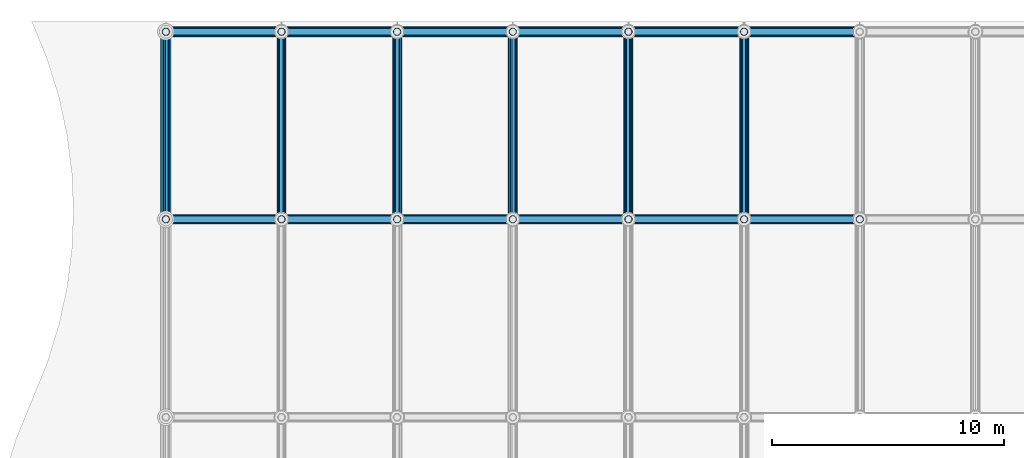
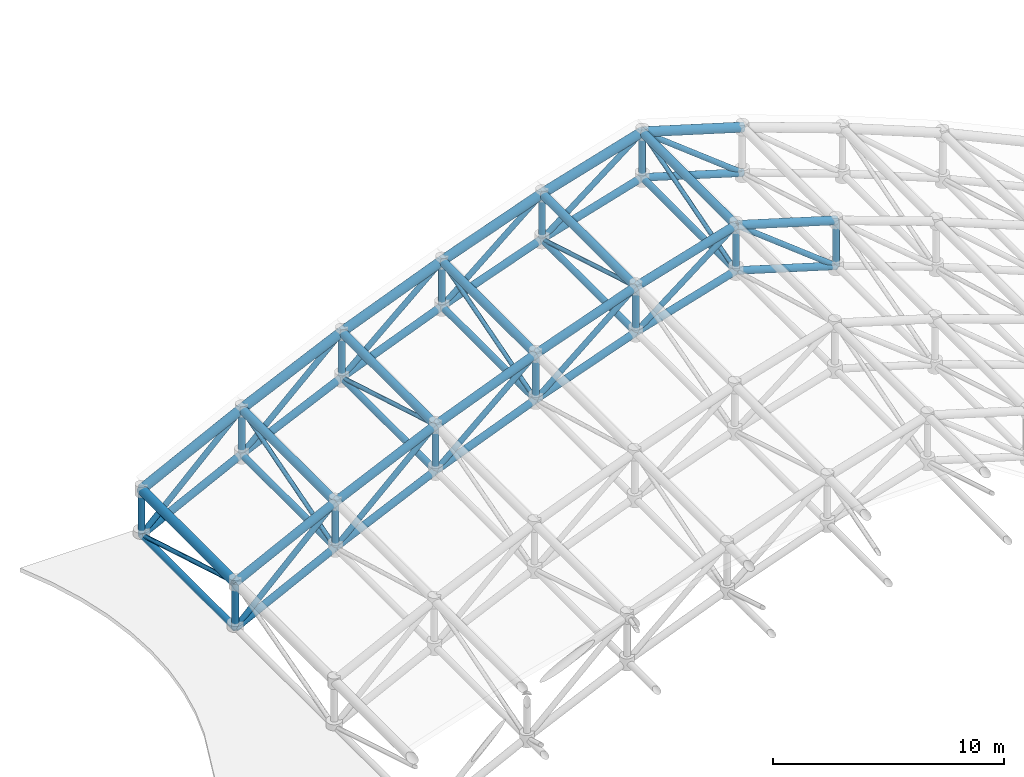
# One storey, part 9 of 11: 67 members.
"""IFC4 building model written with IfcOpenShell, lengths in metres."""

import ifcopenshell
import ifcopenshell.guid

model = None  # the IFC model being written
_history = None  # IfcOwnerHistory: only IFC2X3 demands one
_inside = {}  # id of a spatial element -> (the spatial element, [elements in it])
_under = {}  # id of a project, library or spatial element -> (it, [spatial elements below it])
_declared = {}  # id of a project -> (the project, [libraries it declares])
_typed = {}  # id of a type object -> (the type object, [elements of that type])
_made_of = {}  # id of a material, layer set ... -> (it, [elements and type objects made of it])


def new_model(schema):
    """Start an empty IFC model of exactly this schema.

    Asked for "IFC4X3", IfcOpenShell would pick the latest addendum, in which some entities
    have other attributes; the version numbers below select the first issue.
    IFC2X3 requires an IfcOwnerHistory on every rooted entity: one is made here for all.
    """
    global model, _history
    if schema == "IFC4X3":
        model = ifcopenshell.file(schema_version=(4, 3, 0, 0))
    else:
        model = ifcopenshell.file(schema=schema)
    _inside.clear()
    _under.clear()
    _declared.clear()
    _typed.clear()
    _made_of.clear()
    _history = None
    if model.schema == "IFC2X3":
        org = make("IfcOrganization", Name="unknown")
        user = make(
            "IfcPersonAndOrganization",
            ThePerson=make("IfcPerson", FamilyName="unknown"),
            TheOrganization=org,
        )
        app = make(
            "IfcApplication",
            ApplicationDeveloper=org,
            Version="unknown",
            ApplicationFullName="unknown",
            ApplicationIdentifier="unknown",
        )
        _history = make(
            "IfcOwnerHistory",
            OwningUser=user,
            OwningApplication=app,
            ChangeAction="ADDED",
            CreationDate=0,
        )
    return model


def make(cls, **values):
    """One entity of the class cls with the attributes given. An attribute that is None is left unset."""
    return model.create_entity(
        cls, **{name: value for name, value in values.items() if value is not None}
    )


def rooted(cls, **values):
    """An entity with a GlobalId (a new one), such as an element, a storey or a relation."""
    return make(cls, GlobalId=ifcopenshell.guid.new(), OwnerHistory=_history, **values)


def si_unit(unit_type, name, prefix=None):
    """IfcSIUnit, for example si_unit("LENGTHUNIT", "METRE", prefix="MILLI")."""
    return make("IfcSIUnit", UnitType=unit_type, Prefix=prefix, Name=name)


def assignment(units):
    """IfcUnitAssignment: the units of a project."""
    return None if units is None else make("IfcUnitAssignment", Units=units)


def point(xyz):
    """IfcCartesianPoint."""
    return None if xyz is None else make("IfcCartesianPoint", Coordinates=xyz)


def direction(xyz):
    """IfcDirection."""
    return None if xyz is None else make("IfcDirection", DirectionRatios=xyz)


def frame(location, z_axis=None, x_axis=None):
    """IfcAxis2Placement3D, a coordinate frame: its origin and axes. An axis left out is left unset."""
    return make(
        "IfcAxis2Placement3D",
        Location=point(location),
        Axis=direction(z_axis),
        RefDirection=direction(x_axis),
    )


def frame_2d(location, x_axis=None):
    """IfcAxis2Placement2D, a coordinate frame in the plane: its origin and x axis."""
    return make(
        "IfcAxis2Placement2D", Location=point(location), RefDirection=direction(x_axis)
    )


def origin():
    """The frame at (0, 0, 0) with its axes left unset."""
    return frame((0.0, 0.0, 0.0))


def origin_2d():
    """The frame at (0, 0) in the plane with its x axis left unset."""
    return frame_2d((0.0, 0.0))


def place(relative_to, where):
    """IfcLocalPlacement: puts the frame where relative to a parent placement (None: the world)."""
    return make(
        "IfcLocalPlacement", PlacementRelTo=relative_to, RelativePlacement=where
    )


def context(
    kind, dimensions, precision=None, world=None, true_north=None, identifier=None
):
    """IfcGeometricRepresentationContext, for example the 3D "Model" context."""
    return make(
        "IfcGeometricRepresentationContext",
        ContextIdentifier=identifier,
        ContextType=kind,
        CoordinateSpaceDimension=dimensions,
        Precision=precision,
        WorldCoordinateSystem=world,
        TrueNorth=true_north,
    )


def subcontext(parent, identifier, kind, view, scale=None):
    """IfcGeometricRepresentationSubContext, for example "Body" below "Model"."""
    return make(
        "IfcGeometricRepresentationSubContext",
        ContextIdentifier=identifier,
        ContextType=kind,
        ParentContext=parent,
        TargetScale=scale,
        TargetView=view,
    )


def project(units=None, contexts=None):
    """IfcProject with its units and contexts."""
    return rooted(
        "IfcProject",
        Name="project",
        RepresentationContexts=contexts,
        UnitsInContext=assignment(units),
    )


def spatial(cls, under=None, at=None, **own):
    """A site, building, storey or space (cls), placed at a placement, below another one or the project."""
    s = rooted(cls, ObjectPlacement=at, **own)
    if under is not None:
        _under.setdefault(under.id(), (under, []))[1].append(s)
    return s


def profile(cls, at=None, kind="AREA", **sizes):
    """A parametric profile (cls). Its sizes go by their IFC names, for example OverallWidth=200.0."""
    return make(cls, ProfileType=kind, Position=at, **sizes)


def hollow_circle(**sizes):
    """IfcCircleHollowProfileDef."""
    return profile("IfcCircleHollowProfileDef", **sizes)


def extrude(swept, where, along, depth):
    """IfcExtrudedAreaSolid: the profile swept, set in the frame where, extruded along a direction by depth."""
    return make(
        "IfcExtrudedAreaSolid",
        SweptArea=swept,
        Position=where,
        ExtrudedDirection=direction(along),
        Depth=depth,
    )


def shape(context_of_items, identifier, shape_type, items):
    """IfcShapeRepresentation: the items that make up one representation, for example the "Body"."""
    return make(
        "IfcShapeRepresentation",
        ContextOfItems=context_of_items,
        RepresentationIdentifier=identifier,
        RepresentationType=shape_type,
        Items=items,
    )


def material(Name=None, Category=None):
    """IfcMaterial."""
    return make("IfcMaterial", Name=Name, Category=Category)


def material_profile(
    of_material, cross_section, Name=None, Category=None, Priority=None
):
    """IfcMaterialProfile: a cross section and its material."""
    return make(
        "IfcMaterialProfile",
        Name=Name,
        Material=of_material,
        Profile=cross_section,
        Priority=Priority,
        Category=Category,
    )


def profile_set(profiles, Name=None, composite=None):
    """IfcMaterialProfileSet."""
    return make(
        "IfcMaterialProfileSet",
        Name=Name,
        MaterialProfiles=profiles,
        CompositeProfile=composite,
    )


def made_of(thing, what):
    """Note that an element or type object is made of a material, layer set ...; save() writes the relation."""
    if what is not None:
        _made_of.setdefault(what.id(), (what, []))[1].append(thing)
    return thing


def type_object(cls, material=None, **own):
    """A type object (cls), such as IfcWallType, which elements share."""
    return made_of(rooted(cls, **own), material)


def element(
    cls,
    number,
    at=None,
    inside=None,
    cuts=None,
    type_object=None,
    material=None,
    context=None,
    identifier="Body",
    shape_type=None,
    held_by="IfcProductDefinitionShape",
    body=None,
    shapes=None,
    **own,
):
    """One element of the class cls, such as IfcWall. Its Tag is "e" and its number.

    at: its placement. inside: the storey or other place that contains it. cuts: it is an
    opening in that element (IfcRelVoidsElement). A single representation is given by context,
    identifier, shape_type and body (its items); several are given by shapes. held_by: the class
    of the entity that holds the representations. save() writes the other relations.
    """
    e = rooted(cls, Tag="e%d" % number, ObjectPlacement=at, **own)
    if body is not None:
        shapes = [shape(context, identifier, shape_type, body)]
    if shapes is not None:
        e.Representation = make(held_by, Representations=shapes)
    if inside is not None:
        _inside.setdefault(inside.id(), (inside, []))[1].append(e)
    if cuts is not None:
        rooted(
            "IfcRelVoidsElement", RelatingBuildingElement=cuts, RelatedOpeningElement=e
        )
    if type_object is not None:
        _typed.setdefault(type_object.id(), (type_object, []))[1].append(e)
    return made_of(e, material)


def aggregate(whole, parts):
    """IfcRelAggregates: a whole, such as a stair, and the parts it consists of."""
    return rooted("IfcRelAggregates", RelatingObject=whole, RelatedObjects=parts)


def save(model, path):
    """Write the relations noted so far, then the file.

    IfcRelAggregates (storeys below a building ...), IfcRelContainedInSpatialStructure (elements
    in a storey), IfcRelDefinesByType, IfcRelAssociatesMaterial and IfcRelDeclares: one each for
    every whole, place, type object, material and project.
    """
    for whole, parts in _under.values():
        aggregate(whole, parts)
    for where, things in _inside.values():
        rooted(
            "IfcRelContainedInSpatialStructure",
            RelatedElements=things,
            RelatingStructure=where,
        )
    for kind, things in _typed.values():
        rooted("IfcRelDefinesByType", RelatedObjects=things, RelatingType=kind)
    for what, things in _made_of.values():
        rooted("IfcRelAssociatesMaterial", RelatedObjects=things, RelatingMaterial=what)
    for by, libraries in _declared.values():
        rooted("IfcRelDeclares", RelatingContext=by, RelatedDefinitions=libraries)
    model.write(path)


model = new_model("IFC4")

# Units and contexts
model_context = context("Model", 3, precision=1e-05, world=origin(), true_north=direction((0.0, 1.0)))
body_context = subcontext(model_context, "Body", "Model", "MODEL_VIEW")
ifc_project = project(units=[si_unit("LENGTHUNIT", "METRE"), si_unit("AREAUNIT", "SQUARE_METRE"), si_unit("VOLUMEUNIT", "CUBIC_METRE"), si_unit("PLANEANGLEUNIT", "RADIAN"), si_unit("MASSUNIT", "GRAM", prefix="KILO")], contexts=[model_context])

# Site, building, storey
site_placement = place(None, origin())
site = spatial("IfcSite", under=ifc_project, at=site_placement, CompositionType="ELEMENT")
building_placement = place(site_placement, origin())
building = spatial("IfcBuilding", under=site, at=building_placement, Name="Kazehara Bluff Congress Hotel", CompositionType="ELEMENT")
storey_placement = place(building_placement, frame((0.0, 0.0, 50.39990234375)))
storey = spatial("IfcBuildingStorey", under=building, at=storey_placement, Name="RF", CompositionType="ELEMENT", Elevation=50.39990234375)

# Members
ifc_material_1 = material(Name="Steel STK490", Category="steel")
ifc_material_profile_1 = material_profile(ifc_material_1, hollow_circle(Radius=0.177734375, WallThickness=0.0126953125, at=origin_2d()))
ifc_profile_set_1 = profile_set([ifc_material_profile_1], Name="Steel STK490")
member_type_1 = type_object("IfcMemberType", Name="TP-SF-BC1", PredefinedType="CHORD", material=ifc_profile_set_1)
member_1_placement = place(storey_placement, frame((8.39990234375, 105.449951171875, -30.599853515625), z_axis=(0.894252293271, 0.0, 0.447563220093), x_axis=(0.0, 1.0, 0.0)))
element("IfcMember", 1, at=member_1_placement, inside=storey, type_object=member_type_1, Name="Congress roof space frame bottom arch chord 142", PredefinedType="CHORD", context=body_context, shape_type="SweptSolid", body=[
    extrude(hollow_circle(Radius=0.177734375, WallThickness=0.0126953125, at=origin_2d()), origin(), (0.0, 0.0, 1.0), 5.585693359375),
])
member_2_placement = place(storey_placement, frame((13.39501953125, 105.449951171875, -28.099853515625), z_axis=(0.908324180475, 0.0, 0.41826688031), x_axis=(0.0, 1.0, 0.0)))
element("IfcMember", 2, at=member_2_placement, inside=storey, type_object=member_type_1, Name="Congress roof space frame bottom arch chord 144", PredefinedType="CHORD", context=body_context, shape_type="SweptSolid", body=[
    extrude(hollow_circle(Radius=0.177734375, WallThickness=0.0126953125, at=origin_2d()), origin(), (0.0, 0.0, 1.0), 5.4990234375),
])
member_3_placement = place(storey_placement, frame((18.389892578125, 105.449951171875, -25.7998046875), z_axis=(0.928351468575, 0.0, 0.371703579207), x_axis=(0.0, 1.0, 0.0)))
element("IfcMember", 3, at=member_3_placement, inside=storey, type_object=member_type_1, Name="Congress roof space frame bottom arch chord 146", PredefinedType="CHORD", context=body_context, shape_type="SweptSolid", body=[
    extrude(hollow_circle(Radius=0.177734375, WallThickness=0.0126953125, at=origin_2d()), origin(), (0.0, 0.0, 1.0), 5.380615234375),
])
member_4_placement = place(storey_placement, frame((23.385009765625, 105.449951171875, -23.7998046875), z_axis=(0.940788303939, 0.0, 0.338994641803), x_axis=(0.0, 1.0, 0.0)))
element("IfcMember", 4, at=member_4_placement, inside=storey, type_object=member_type_1, Name="Congress roof space frame bottom arch chord 148", PredefinedType="CHORD", context=body_context, shape_type="SweptSolid", body=[
    extrude(hollow_circle(Radius=0.177734375, WallThickness=0.0126953125, at=origin_2d()), origin(), (0.0, 0.0, 1.0), 5.309326171875),
])
for number, where, z_axis, x_axis, name in (
    (5, (28.3798828125, 105.449951171875, -22.0), (0.957748948325, 0.0, 0.287605549292), (0.0, 1.0, 0.0), "Congress roof space frame bottom arch chord 150"),
    (6, (33.375, 105.449951171875, -20.5), (0.957748948325, 0.0, -0.287605549292), (0.0, 1.0, 0.0), "Congress roof space frame bottom arch chord 152"),
):
    element("IfcMember", number, at=place(storey_placement, frame(where, z_axis=z_axis, x_axis=x_axis)), inside=storey, type_object=member_type_1, Name=name, PredefinedType="CHORD", context=body_context, shape_type="SweptSolid", body=[
        extrude(hollow_circle(Radius=0.177734375, WallThickness=0.0126953125, at=origin_2d()), origin(), (0.0, 0.0, 1.0), 5.215576171875),
    ])
member_5_placement = place(storey_placement, frame((8.39990234375, 113.550048828125, -30.599853515625), z_axis=(0.894252293271, 0.0, 0.447563220093), x_axis=(0.0, 1.0, 0.0)))
element("IfcMember", 7, at=member_5_placement, inside=storey, type_object=member_type_1, Name="Congress roof space frame bottom arch chord 162", PredefinedType="CHORD", context=body_context, shape_type="SweptSolid", body=[
    extrude(hollow_circle(Radius=0.177734375, WallThickness=0.0126953125, at=origin_2d()), origin(), (0.0, 0.0, 1.0), 5.585693359375),
])
member_6_placement = place(storey_placement, frame((13.39501953125, 113.550048828125, -28.099853515625), z_axis=(0.908324180475, 0.0, 0.41826688031), x_axis=(0.0, 1.0, 0.0)))
element("IfcMember", 8, at=member_6_placement, inside=storey, type_object=member_type_1, Name="Congress roof space frame bottom arch chord 164", PredefinedType="CHORD", context=body_context, shape_type="SweptSolid", body=[
    extrude(hollow_circle(Radius=0.177734375, WallThickness=0.0126953125, at=origin_2d()), origin(), (0.0, 0.0, 1.0), 5.4990234375),
])
member_7_placement = place(storey_placement, frame((18.389892578125, 113.550048828125, -25.7998046875), z_axis=(0.928351468575, 0.0, 0.371703579207), x_axis=(0.0, 1.0, 0.0)))
element("IfcMember", 9, at=member_7_placement, inside=storey, type_object=member_type_1, Name="Congress roof space frame bottom arch chord 166", PredefinedType="CHORD", context=body_context, shape_type="SweptSolid", body=[
    extrude(hollow_circle(Radius=0.177734375, WallThickness=0.0126953125, at=origin_2d()), origin(), (0.0, 0.0, 1.0), 5.380615234375),
])
member_8_placement = place(storey_placement, frame((23.385009765625, 113.550048828125, -23.7998046875), z_axis=(0.940788303939, 0.0, 0.338994641803), x_axis=(0.0, 1.0, 0.0)))
element("IfcMember", 10, at=member_8_placement, inside=storey, type_object=member_type_1, Name="Congress roof space frame bottom arch chord 168", PredefinedType="CHORD", context=body_context, shape_type="SweptSolid", body=[
    extrude(hollow_circle(Radius=0.177734375, WallThickness=0.0126953125, at=origin_2d()), origin(), (0.0, 0.0, 1.0), 5.309326171875),
])
for number, where, z_axis, x_axis, name in (
    (11, (28.3798828125, 113.550048828125, -22.0), (0.957748948325, 0.0, 0.287605549292), (0.0, 1.0, 0.0), "Congress roof space frame bottom arch chord 170"),
    (12, (33.375, 113.550048828125, -20.5), (0.957748948325, 0.0, -0.287605549292), (0.0, 1.0, 0.0), "Congress roof space frame bottom arch chord 172"),
):
    element("IfcMember", number, at=place(storey_placement, frame(where, z_axis=z_axis, x_axis=x_axis)), inside=storey, type_object=member_type_1, Name=name, PredefinedType="CHORD", context=body_context, shape_type="SweptSolid", body=[
        extrude(hollow_circle(Radius=0.177734375, WallThickness=0.0126953125, at=origin_2d()), origin(), (0.0, 0.0, 1.0), 5.215576171875),
    ])
ifc_material_2 = material(Name="Steel STK490", Category="steel")
ifc_material_profile_2 = material_profile(ifc_material_2, hollow_circle(Radius=0.1591796875, WallThickness=0.01025390625, at=origin_2d()))
ifc_profile_set_2 = profile_set([ifc_material_profile_2], Name="Steel STK490")
member_type_2 = type_object("IfcMemberType", Name="TP-SF-BC2", PredefinedType="CHORD", material=ifc_profile_set_2)
for number, where, z_axis, x_axis, name in (
    (13, (8.39990234375, 105.449951171875, -30.599853515625), (0.0, 1.0, 0.0), (-1.0, 0.0, 0.0), "Congress roof space frame bottom longitudinal chord 196"),
    (14, (13.39501953125, 105.449951171875, -28.099853515625), (0.0, 1.0, 0.0), (-1.0, 0.0, 0.0), "Congress roof space frame bottom longitudinal chord 212"),
    (15, (18.389892578125, 105.449951171875, -25.7998046875), (0.0, 1.0, 0.0), (-1.0, 0.0, 0.0), "Congress roof space frame bottom longitudinal chord 228"),
    (16, (23.385009765625, 105.449951171875, -23.7998046875), (0.0, 1.0, 0.0), (-1.0, 0.0, 0.0), "Congress roof space frame bottom longitudinal chord 244"),
    (17, (28.3798828125, 105.449951171875, -22.0), (0.0, 1.0, 0.0), (-1.0, 0.0, 0.0), "Congress roof space frame bottom longitudinal chord 260"),
    (18, (33.375, 105.449951171875, -20.5), (0.0, 1.0, 0.0), (-1.0, 0.0, 0.0), "Congress roof space frame bottom longitudinal chord 276"),
):
    element("IfcMember", number, at=place(storey_placement, frame(where, z_axis=z_axis, x_axis=x_axis)), inside=storey, type_object=member_type_2, Name=name, PredefinedType="CHORD", context=body_context, shape_type="SweptSolid", body=[
        extrude(hollow_circle(Radius=0.1591796875, WallThickness=0.01025390625, at=origin_2d()), origin(), (0.0, 0.0, 1.0), 8.10009765625),
    ])
ifc_material_3 = material(Name="Steel STK490", Category="steel")
ifc_material_profile_3 = material_profile(ifc_material_3, hollow_circle(Radius=0.1337890625, WallThickness=0.00927734375, at=origin_2d()))
ifc_profile_set_3 = profile_set([ifc_material_profile_3], Name="Steel STK490")
member_type_3 = type_object("IfcMemberType", Name="TP-SF-DG1", PredefinedType="BRACE", material=ifc_profile_set_3)
member_9_placement = place(storey_placement, frame((8.39990234375, 105.449951171875, -30.599853515625), z_axis=(0.713877868379, 0.0, 0.700270225726), x_axis=(0.0, 1.0, 0.0)))
element("IfcMember", 19, at=member_9_placement, inside=storey, type_object=member_type_3, Name="Congress roof space frame arch web diagonal 526", PredefinedType="BRACE", context=body_context, shape_type="SweptSolid", body=[
    extrude(hollow_circle(Radius=0.1337890625, WallThickness=0.00927734375, at=origin_2d()), origin(), (0.0, 0.0, 1.0), 6.9970703125),
])
member_10_placement = place(storey_placement, frame((13.39501953125, 105.449951171875, -28.099853515625), z_axis=(0.728280456647, 0.0, 0.685279195997), x_axis=(0.0, 1.0, 0.0)))
element("IfcMember", 20, at=member_10_placement, inside=storey, type_object=member_type_3, Name="Congress roof space frame arch web diagonal 527", PredefinedType="BRACE", context=body_context, shape_type="SweptSolid", body=[
    extrude(hollow_circle(Radius=0.1337890625, WallThickness=0.00927734375, at=origin_2d()), origin(), (0.0, 0.0, 1.0), 6.8583984375),
])
member_11_placement = place(storey_placement, frame((18.389892578125, 105.449951171875, -25.7998046875), z_axis=(0.750400574845, 0.0, 0.660983341146), x_axis=(0.0, 1.0, 0.0)))
element("IfcMember", 21, at=member_11_placement, inside=storey, type_object=member_type_3, Name="Congress roof space frame arch web diagonal 528", PredefinedType="BRACE", context=body_context, shape_type="SweptSolid", body=[
    extrude(hollow_circle(Radius=0.1337890625, WallThickness=0.00927734375, at=origin_2d()), origin(), (0.0, 0.0, 1.0), 6.656494140625),
])
member_12_placement = place(storey_placement, frame((23.385009765625, 105.449951171875, -23.7998046875), z_axis=(0.765383445182, 0.0, 0.643574534799), x_axis=(0.0, 1.0, 0.0)))
element("IfcMember", 22, at=member_12_placement, inside=storey, type_object=member_type_3, Name="Congress roof space frame arch web diagonal 529", PredefinedType="BRACE", context=body_context, shape_type="SweptSolid", body=[
    extrude(hollow_circle(Radius=0.1337890625, WallThickness=0.00927734375, at=origin_2d()), origin(), (0.0, 0.0, 1.0), 6.52587890625),
])
for number, where, z_axis, x_axis, name in (
    (23, (28.3798828125, 105.449951171875, -22.0), (0.788199556762, 0.0, 0.6154197419), (0.0, 1.0, 0.0), "Congress roof space frame arch web diagonal 530"),
    (24, (33.375, 105.449951171875, -18.099853515625), (0.788199556762, 0.0, -0.6154197419), (0.0, 1.0, 0.0), "Congress roof space frame arch web diagonal 531"),
):
    element("IfcMember", number, at=place(storey_placement, frame(where, z_axis=z_axis, x_axis=x_axis)), inside=storey, type_object=member_type_3, Name=name, PredefinedType="BRACE", context=body_context, shape_type="SweptSolid", body=[
        extrude(hollow_circle(Radius=0.1337890625, WallThickness=0.00927734375, at=origin_2d()), origin(), (0.0, 0.0, 1.0), 6.33740234375),
    ])
member_13_placement = place(storey_placement, frame((8.39990234375, 113.550048828125, -30.599853515625), z_axis=(0.713877868379, 0.0, 0.700270225726), x_axis=(0.0, 1.0, 0.0)))
element("IfcMember", 25, at=member_13_placement, inside=storey, type_object=member_type_3, Name="Congress roof space frame arch web diagonal 536", PredefinedType="BRACE", context=body_context, shape_type="SweptSolid", body=[
    extrude(hollow_circle(Radius=0.1337890625, WallThickness=0.00927734375, at=origin_2d()), origin(), (0.0, 0.0, 1.0), 6.9970703125),
])
member_14_placement = place(storey_placement, frame((13.39501953125, 113.550048828125, -28.099853515625), z_axis=(0.728280456647, 0.0, 0.685279195997), x_axis=(0.0, 1.0, 0.0)))
element("IfcMember", 26, at=member_14_placement, inside=storey, type_object=member_type_3, Name="Congress roof space frame arch web diagonal 537", PredefinedType="BRACE", context=body_context, shape_type="SweptSolid", body=[
    extrude(hollow_circle(Radius=0.1337890625, WallThickness=0.00927734375, at=origin_2d()), origin(), (0.0, 0.0, 1.0), 6.8583984375),
])
member_15_placement = place(storey_placement, frame((18.389892578125, 113.550048828125, -25.7998046875), z_axis=(0.750400574845, 0.0, 0.660983341146), x_axis=(0.0, 1.0, 0.0)))
element("IfcMember", 27, at=member_15_placement, inside=storey, type_object=member_type_3, Name="Congress roof space frame arch web diagonal 538", PredefinedType="BRACE", context=body_context, shape_type="SweptSolid", body=[
    extrude(hollow_circle(Radius=0.1337890625, WallThickness=0.00927734375, at=origin_2d()), origin(), (0.0, 0.0, 1.0), 6.656494140625),
])
member_16_placement = place(storey_placement, frame((23.385009765625, 113.550048828125, -23.7998046875), z_axis=(0.765383445182, 0.0, 0.643574534799), x_axis=(0.0, 1.0, 0.0)))
element("IfcMember", 28, at=member_16_placement, inside=storey, type_object=member_type_3, Name="Congress roof space frame arch web diagonal 539", PredefinedType="BRACE", context=body_context, shape_type="SweptSolid", body=[
    extrude(hollow_circle(Radius=0.1337890625, WallThickness=0.00927734375, at=origin_2d()), origin(), (0.0, 0.0, 1.0), 6.52587890625),
])
for number, where, z_axis, x_axis, name in (
    (29, (28.3798828125, 113.550048828125, -22.0), (0.788199556762, 0.0, 0.6154197419), (0.0, 1.0, 0.0), "Congress roof space frame arch web diagonal 540"),
    (30, (33.375, 113.550048828125, -18.099853515625), (0.788199556762, 0.0, -0.6154197419), (0.0, 1.0, 0.0), "Congress roof space frame arch web diagonal 541"),
):
    element("IfcMember", number, at=place(storey_placement, frame(where, z_axis=z_axis, x_axis=x_axis)), inside=storey, type_object=member_type_3, Name=name, PredefinedType="BRACE", context=body_context, shape_type="SweptSolid", body=[
        extrude(hollow_circle(Radius=0.1337890625, WallThickness=0.00927734375, at=origin_2d()), origin(), (0.0, 0.0, 1.0), 6.33740234375),
    ])
ifc_material_4 = material(Name="Steel STK490", Category="steel")
ifc_material_profile_4 = material_profile(ifc_material_4, hollow_circle(Radius=0.108154296875, WallThickness=0.00830078125, at=origin_2d()))
ifc_profile_set_4 = profile_set([ifc_material_profile_4], Name="Steel STK490")
member_type_4 = type_object("IfcMemberType", Name="TP-SF-DG2", PredefinedType="BRACE", material=ifc_profile_set_4)
for number, where, z_axis, x_axis, name in (
    (31, (8.39990234375, 105.449951171875, -28.199951171875), (0.0, 0.958802194146, -0.284074554477), (-1.0, 0.0, 0.0), "Congress roof space frame transverse web diagonal 553"),
    (32, (13.39501953125, 105.449951171875, -28.099853515625), (0.0, 0.958802194146, 0.284074554477), (-1.0, 0.0, 0.0), "Congress roof space frame transverse web diagonal 561"),
    (33, (18.389892578125, 105.449951171875, -23.39990234375), (0.0, 0.958802194146, -0.284074554477), (-1.0, 0.0, 0.0), "Congress roof space frame transverse web diagonal 569"),
    (34, (23.385009765625, 105.449951171875, -23.7998046875), (0.0, 0.958802194146, 0.284074554477), (-1.0, 0.0, 0.0), "Congress roof space frame transverse web diagonal 577"),
    (35, (28.3798828125, 105.449951171875, -19.599853515625), (0.0, 0.958794322656, -0.284101120804), (-1.0, 0.0, 0.0), "Congress roof space frame transverse web diagonal 585"),
    (36, (33.375, 105.449951171875, -20.5), (0.0, 0.958794322656, 0.284101120804), (-1.0, 0.0, 0.0), "Congress roof space frame transverse web diagonal 593"),
):
    element("IfcMember", number, at=place(storey_placement, frame(where, z_axis=z_axis, x_axis=x_axis)), inside=storey, type_object=member_type_4, Name=name, PredefinedType="BRACE", context=body_context, shape_type="SweptSolid", body=[
        extrude(hollow_circle(Radius=0.108154296875, WallThickness=0.00830078125, at=origin_2d()), origin(), (0.0, 0.0, 1.0), 8.4482421875),
    ])
ifc_material_5 = material(Name="Steel STK490", Category="steel")
ifc_material_profile_5 = material_profile(ifc_material_5, hollow_circle(Radius=0.1591796875, WallThickness=0.01025390625, at=origin_2d()))
ifc_profile_set_5 = profile_set([ifc_material_profile_5], Name="Steel STK490")
member_type_5 = type_object("IfcMemberType", Name="TP-SF-PS1", PredefinedType="POST", material=ifc_profile_set_5)
for number, where, z_axis, x_axis, name in (
    (37, (8.39990234375, 105.449951171875, -30.599853515625), (0.0, 0.0, 1.0), (1.0, 0.0, 0.0), "Congress roof space frame vertical post 364"),
    (38, (8.39990234375, 113.550048828125, -30.599853515625), (0.0, 0.0, 1.0), (1.0, 0.0, 0.0), "Congress roof space frame vertical post 365"),
    (39, (13.39501953125, 105.449951171875, -28.099853515625), (0.0, 0.0, 1.0), (1.0, 0.0, 0.0), "Congress roof space frame vertical post 373"),
    (40, (13.39501953125, 113.550048828125, -28.099853515625), (0.0, 0.0, 1.0), (1.0, 0.0, 0.0), "Congress roof space frame vertical post 374"),
    (41, (18.389892578125, 105.449951171875, -25.7998046875), (0.0, 0.0, 1.0), (1.0, 0.0, 0.0), "Congress roof space frame vertical post 382"),
    (42, (18.389892578125, 113.550048828125, -25.7998046875), (0.0, 0.0, 1.0), (1.0, 0.0, 0.0), "Congress roof space frame vertical post 383"),
    (43, (23.385009765625, 105.449951171875, -23.7998046875), (0.0, 0.0, 1.0), (1.0, 0.0, 0.0), "Congress roof space frame vertical post 391"),
    (44, (23.385009765625, 113.550048828125, -23.7998046875), (0.0, 0.0, 1.0), (1.0, 0.0, 0.0), "Congress roof space frame vertical post 392"),
):
    element("IfcMember", number, at=place(storey_placement, frame(where, z_axis=z_axis, x_axis=x_axis)), inside=storey, type_object=member_type_5, Name=name, PredefinedType="POST", context=body_context, shape_type="SweptSolid", body=[
        extrude(hollow_circle(Radius=0.1591796875, WallThickness=0.01025390625, at=origin_2d()), origin(), (0.0, 0.0, 1.0), 2.39990234375),
    ])
for number, where, z_axis, x_axis, name in (
    (45, (28.3798828125, 105.449951171875, -22.0), (0.0, 0.0, 1.0), (1.0, 0.0, 0.0), "Congress roof space frame vertical post 400"),
    (46, (28.3798828125, 113.550048828125, -22.0), (0.0, 0.0, 1.0), (1.0, 0.0, 0.0), "Congress roof space frame vertical post 401"),
    (47, (33.375, 105.449951171875, -20.5), (0.0, 0.0, 1.0), (1.0, 0.0, 0.0), "Congress roof space frame vertical post 409"),
    (48, (33.375, 113.550048828125, -20.5), (0.0, 0.0, 1.0), (1.0, 0.0, 0.0), "Congress roof space frame vertical post 410"),
    (49, (38.3701171875, 105.449951171875, -22.0), (0.0, 0.0, 1.0), (1.0, 0.0, 0.0), "Congress roof space frame vertical post 418"),
):
    element("IfcMember", number, at=place(storey_placement, frame(where, z_axis=z_axis, x_axis=x_axis)), inside=storey, type_object=member_type_5, Name=name, PredefinedType="POST", context=body_context, shape_type="SweptSolid", body=[
        extrude(hollow_circle(Radius=0.1591796875, WallThickness=0.01025390625, at=origin_2d()), origin(), (0.0, 0.0, 1.0), 2.400146484375),
    ])
ifc_material_6 = material(Name="Steel STK490", Category="steel")
ifc_material_profile_6 = material_profile(ifc_material_6, hollow_circle(Radius=0.203125, WallThickness=0.0126953125, at=origin_2d()))
ifc_profile_set_6 = profile_set([ifc_material_profile_6], Name="Steel STK490")
member_type_6 = type_object("IfcMemberType", Name="TP-SF-TC1", PredefinedType="CHORD", material=ifc_profile_set_6)
member_17_placement = place(storey_placement, frame((8.39990234375, 105.449951171875, -28.199951171875), z_axis=(0.894252293271, 0.0, 0.447563220093), x_axis=(0.0, 1.0, 0.0)))
element("IfcMember", 50, at=member_17_placement, inside=storey, type_object=member_type_6, Name="Congress roof space frame top arch chord 141", PredefinedType="CHORD", context=body_context, shape_type="SweptSolid", body=[
    extrude(hollow_circle(Radius=0.203125, WallThickness=0.0126953125, at=origin_2d()), origin(), (0.0, 0.0, 1.0), 5.585693359375),
])
member_18_placement = place(storey_placement, frame((13.39501953125, 105.449951171875, -25.699951171875), z_axis=(0.908324180475, 0.0, 0.41826688031), x_axis=(0.0, 1.0, 0.0)))
element("IfcMember", 51, at=member_18_placement, inside=storey, type_object=member_type_6, Name="Congress roof space frame top arch chord 143", PredefinedType="CHORD", context=body_context, shape_type="SweptSolid", body=[
    extrude(hollow_circle(Radius=0.203125, WallThickness=0.0126953125, at=origin_2d()), origin(), (0.0, 0.0, 1.0), 5.4990234375),
])
member_19_placement = place(storey_placement, frame((18.389892578125, 105.449951171875, -23.39990234375), z_axis=(0.928351468575, 0.0, 0.371703579207), x_axis=(0.0, 1.0, 0.0)))
element("IfcMember", 52, at=member_19_placement, inside=storey, type_object=member_type_6, Name="Congress roof space frame top arch chord 145", PredefinedType="CHORD", context=body_context, shape_type="SweptSolid", body=[
    extrude(hollow_circle(Radius=0.203125, WallThickness=0.0126953125, at=origin_2d()), origin(), (0.0, 0.0, 1.0), 5.380615234375),
])
member_20_placement = place(storey_placement, frame((23.385009765625, 105.449951171875, -21.39990234375), z_axis=(0.940773637944, 0.0, 0.339035340562), x_axis=(0.0, 1.0, 0.0)))
element("IfcMember", 53, at=member_20_placement, inside=storey, type_object=member_type_6, Name="Congress roof space frame top arch chord 147", PredefinedType="CHORD", context=body_context, shape_type="SweptSolid", body=[
    extrude(hollow_circle(Radius=0.203125, WallThickness=0.0126953125, at=origin_2d()), origin(), (0.0, 0.0, 1.0), 5.309326171875),
])
for number, where, z_axis, x_axis, name in (
    (54, (28.3798828125, 105.449951171875, -19.599853515625), (0.957748948325, 0.0, 0.287605549292), (0.0, 1.0, 0.0), "Congress roof space frame top arch chord 149"),
    (55, (33.375, 105.449951171875, -18.099853515625), (0.957748948325, 0.0, -0.287605549292), (0.0, 1.0, 0.0), "Congress roof space frame top arch chord 151"),
):
    element("IfcMember", number, at=place(storey_placement, frame(where, z_axis=z_axis, x_axis=x_axis)), inside=storey, type_object=member_type_6, Name=name, PredefinedType="CHORD", context=body_context, shape_type="SweptSolid", body=[
        extrude(hollow_circle(Radius=0.203125, WallThickness=0.0126953125, at=origin_2d()), origin(), (0.0, 0.0, 1.0), 5.215576171875),
    ])
for number, where, z_axis, x_axis, name in (
    (56, (13.39501953125, 105.449951171875, -25.699951171875), (0.0, 1.0, 0.0), (-1.0, 0.0, 0.0), "Congress roof space frame top longitudinal chord 211"),
    (57, (18.389892578125, 105.449951171875, -23.39990234375), (0.0, 1.0, 0.0), (-1.0, 0.0, 0.0), "Congress roof space frame top longitudinal chord 227"),
    (58, (23.385009765625, 105.449951171875, -21.39990234375), (0.0, 1.0, 0.0), (-1.0, 0.0, 0.0), "Congress roof space frame top longitudinal chord 243"),
    (59, (28.3798828125, 105.449951171875, -19.599853515625), (0.0, 1.0, 0.0), (-1.0, 0.0, 0.0), "Congress roof space frame top longitudinal chord 259"),
    (60, (33.375, 105.449951171875, -18.099853515625), (0.0, 1.0, 0.0), (-1.0, 0.0, 0.0), "Congress roof space frame top longitudinal chord 275"),
):
    element("IfcMember", number, at=place(storey_placement, frame(where, z_axis=z_axis, x_axis=x_axis)), inside=storey, type_object=member_type_6, Name=name, PredefinedType="CHORD", context=body_context, shape_type="SweptSolid", body=[
        extrude(hollow_circle(Radius=0.203125, WallThickness=0.0126953125, at=origin_2d()), origin(), (0.0, 0.0, 1.0), 8.10009765625),
    ])
ifc_material_7 = material(Name="Steel STK490", Category="steel")
ifc_material_profile_7 = material_profile(ifc_material_7, hollow_circle(Radius=0.228515625, WallThickness=0.013916015625, at=origin_2d()))
ifc_profile_set_7 = profile_set([ifc_material_profile_7], Name="Steel STK490")
member_type_7 = type_object("IfcMemberType", Name="TP-SF-TC2", PredefinedType="CHORD", material=ifc_profile_set_7)
member_21_placement = place(storey_placement, frame((8.39990234375, 113.550048828125, -28.199951171875), z_axis=(0.894252293271, 0.0, 0.447563220093), x_axis=(0.0, 1.0, 0.0)))
element("IfcMember", 61, at=member_21_placement, inside=storey, type_object=member_type_7, Name="Congress roof space frame top arch chord 161", PredefinedType="CHORD", context=body_context, shape_type="SweptSolid", body=[
    extrude(hollow_circle(Radius=0.228515625, WallThickness=0.013916015625, at=origin_2d()), origin(), (0.0, 0.0, 1.0), 5.585693359375),
])
member_22_placement = place(storey_placement, frame((13.39501953125, 113.550048828125, -25.699951171875), z_axis=(0.908324180475, 0.0, 0.41826688031), x_axis=(0.0, 1.0, 0.0)))
element("IfcMember", 62, at=member_22_placement, inside=storey, type_object=member_type_7, Name="Congress roof space frame top arch chord 163", PredefinedType="CHORD", context=body_context, shape_type="SweptSolid", body=[
    extrude(hollow_circle(Radius=0.228515625, WallThickness=0.013916015625, at=origin_2d()), origin(), (0.0, 0.0, 1.0), 5.4990234375),
])
member_23_placement = place(storey_placement, frame((18.389892578125, 113.550048828125, -23.39990234375), z_axis=(0.928351468575, 0.0, 0.371703579207), x_axis=(0.0, 1.0, 0.0)))
element("IfcMember", 63, at=member_23_placement, inside=storey, type_object=member_type_7, Name="Congress roof space frame top arch chord 165", PredefinedType="CHORD", context=body_context, shape_type="SweptSolid", body=[
    extrude(hollow_circle(Radius=0.228515625, WallThickness=0.013916015625, at=origin_2d()), origin(), (0.0, 0.0, 1.0), 5.380615234375),
])
member_24_placement = place(storey_placement, frame((23.385009765625, 113.550048828125, -21.39990234375), z_axis=(0.940773637944, 0.0, 0.339035340562), x_axis=(0.0, 1.0, 0.0)))
element("IfcMember", 64, at=member_24_placement, inside=storey, type_object=member_type_7, Name="Congress roof space frame top arch chord 167", PredefinedType="CHORD", context=body_context, shape_type="SweptSolid", body=[
    extrude(hollow_circle(Radius=0.228515625, WallThickness=0.013916015625, at=origin_2d()), origin(), (0.0, 0.0, 1.0), 5.309326171875),
])
for number, where, z_axis, x_axis, name in (
    (65, (28.3798828125, 113.550048828125, -19.599853515625), (0.957748948325, 0.0, 0.287605549292), (0.0, 1.0, 0.0), "Congress roof space frame top arch chord 169"),
    (66, (33.375, 113.550048828125, -18.099853515625), (0.957748948325, 0.0, -0.287605549292), (0.0, 1.0, 0.0), "Congress roof space frame top arch chord 171"),
):
    element("IfcMember", number, at=place(storey_placement, frame(where, z_axis=z_axis, x_axis=x_axis)), inside=storey, type_object=member_type_7, Name=name, PredefinedType="CHORD", context=body_context, shape_type="SweptSolid", body=[
        extrude(hollow_circle(Radius=0.228515625, WallThickness=0.013916015625, at=origin_2d()), origin(), (0.0, 0.0, 1.0), 5.215576171875),
    ])
member_25_placement = place(storey_placement, frame((8.39990234375, 105.449951171875, -28.199951171875), z_axis=(0.0, 1.0, 0.0), x_axis=(-1.0, 0.0, 0.0)))
element("IfcMember", 67, at=member_25_placement, inside=storey, type_object=member_type_7, Name="Congress roof space frame top longitudinal chord 195", PredefinedType="CHORD", context=body_context, shape_type="SweptSolid", body=[
    extrude(hollow_circle(Radius=0.228515625, WallThickness=0.013916015625, at=origin_2d()), origin(), (0.0, 0.0, 1.0), 8.10009765625),
])

save(model, "model.ifc")
